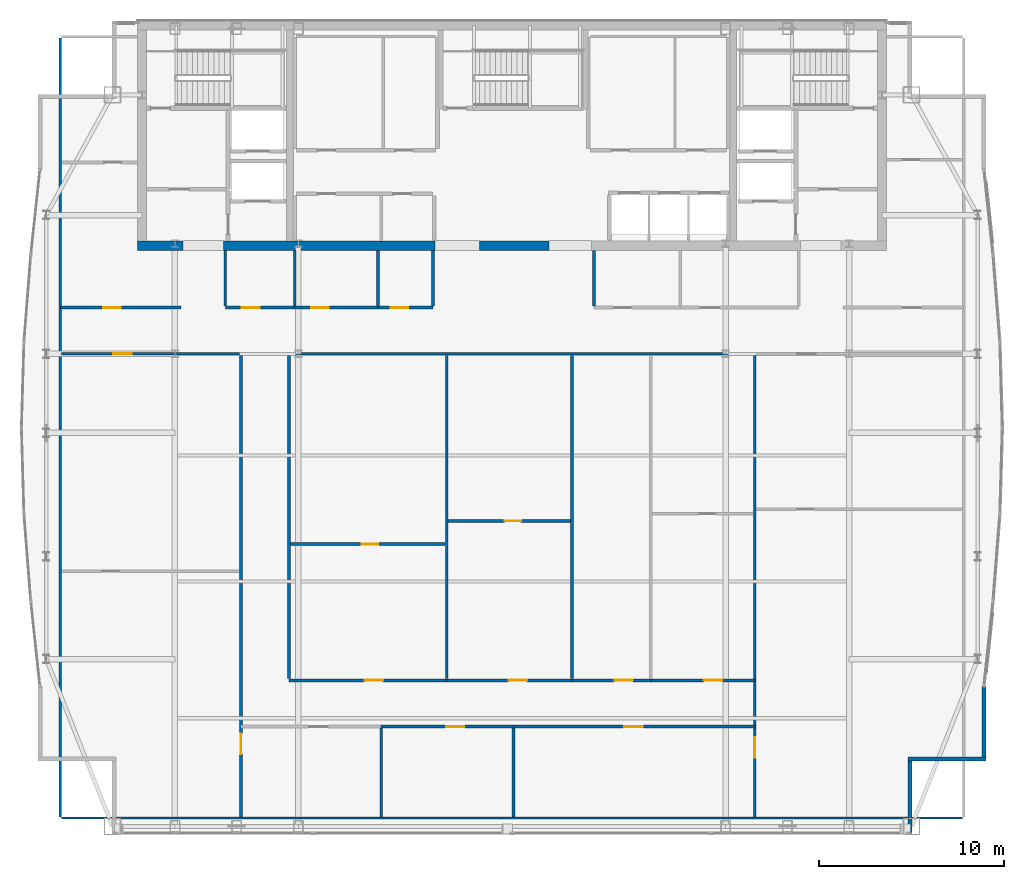
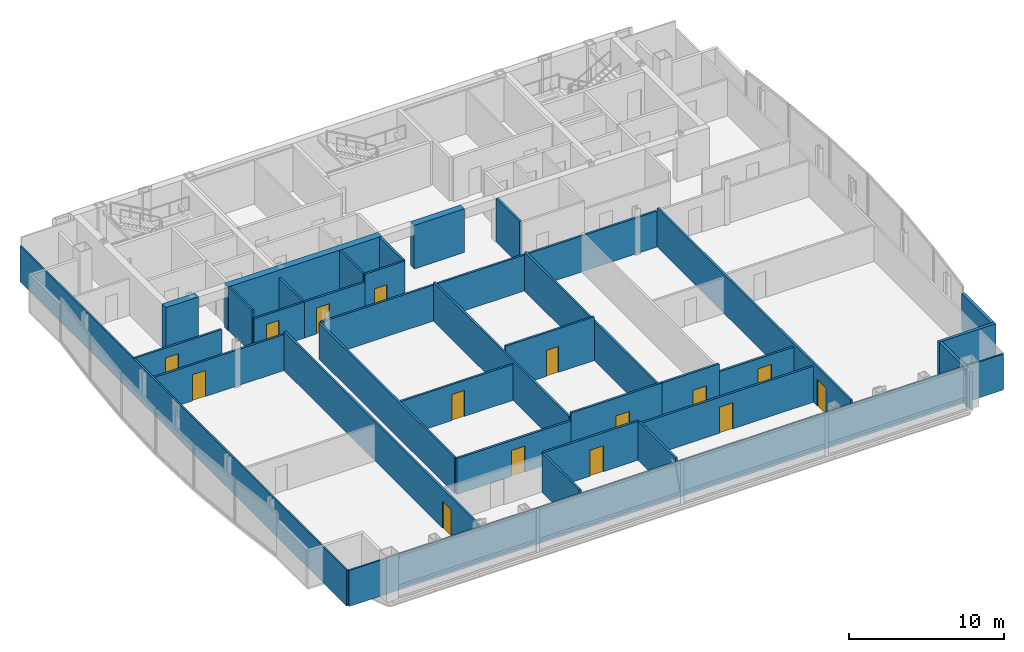
# One storey, part 22 of 27: 34 walls, 15 doors, 15 openings.
"""IFC4 building model written with IfcOpenShell, lengths in metres."""

import ifcopenshell
import ifcopenshell.guid

model = None  # the IFC model being written
_history = None  # IfcOwnerHistory: only IFC2X3 demands one
_inside = {}  # id of a spatial element -> (the spatial element, [elements in it])
_under = {}  # id of a project, library or spatial element -> (it, [spatial elements below it])
_declared = {}  # id of a project -> (the project, [libraries it declares])
_typed = {}  # id of a type object -> (the type object, [elements of that type])
_made_of = {}  # id of a material, layer set ... -> (it, [elements and type objects made of it])


def new_model(schema):
    """Start an empty IFC model of exactly this schema.

    Asked for "IFC4X3", IfcOpenShell would pick the latest addendum, in which some entities
    have other attributes; the version numbers below select the first issue.
    IFC2X3 requires an IfcOwnerHistory on every rooted entity: one is made here for all.
    """
    global model, _history
    if schema == "IFC4X3":
        model = ifcopenshell.file(schema_version=(4, 3, 0, 0))
    else:
        model = ifcopenshell.file(schema=schema)
    _inside.clear()
    _under.clear()
    _declared.clear()
    _typed.clear()
    _made_of.clear()
    _history = None
    if model.schema == "IFC2X3":
        org = make("IfcOrganization", Name="unknown")
        user = make(
            "IfcPersonAndOrganization",
            ThePerson=make("IfcPerson", FamilyName="unknown"),
            TheOrganization=org,
        )
        app = make(
            "IfcApplication",
            ApplicationDeveloper=org,
            Version="unknown",
            ApplicationFullName="unknown",
            ApplicationIdentifier="unknown",
        )
        _history = make(
            "IfcOwnerHistory",
            OwningUser=user,
            OwningApplication=app,
            ChangeAction="ADDED",
            CreationDate=0,
        )
    return model


def make(cls, **values):
    """One entity of the class cls with the attributes given. An attribute that is None is left unset."""
    return model.create_entity(
        cls, **{name: value for name, value in values.items() if value is not None}
    )


def rooted(cls, **values):
    """An entity with a GlobalId (a new one), such as an element, a storey or a relation."""
    return make(cls, GlobalId=ifcopenshell.guid.new(), OwnerHistory=_history, **values)


def si_unit(unit_type, name, prefix=None):
    """IfcSIUnit, for example si_unit("LENGTHUNIT", "METRE", prefix="MILLI")."""
    return make("IfcSIUnit", UnitType=unit_type, Prefix=prefix, Name=name)


def assignment(units):
    """IfcUnitAssignment: the units of a project."""
    return None if units is None else make("IfcUnitAssignment", Units=units)


def point(xyz):
    """IfcCartesianPoint."""
    return None if xyz is None else make("IfcCartesianPoint", Coordinates=xyz)


def direction(xyz):
    """IfcDirection."""
    return None if xyz is None else make("IfcDirection", DirectionRatios=xyz)


def frame(location, z_axis=None, x_axis=None):
    """IfcAxis2Placement3D, a coordinate frame: its origin and axes. An axis left out is left unset."""
    return make(
        "IfcAxis2Placement3D",
        Location=point(location),
        Axis=direction(z_axis),
        RefDirection=direction(x_axis),
    )


def frame_2d(location, x_axis=None):
    """IfcAxis2Placement2D, a coordinate frame in the plane: its origin and x axis."""
    return make(
        "IfcAxis2Placement2D", Location=point(location), RefDirection=direction(x_axis)
    )


def origin():
    """The frame at (0, 0, 0) with its axes left unset."""
    return frame((0.0, 0.0, 0.0))


def place(relative_to, where):
    """IfcLocalPlacement: puts the frame where relative to a parent placement (None: the world)."""
    return make(
        "IfcLocalPlacement", PlacementRelTo=relative_to, RelativePlacement=where
    )


def context(
    kind, dimensions, precision=None, world=None, true_north=None, identifier=None
):
    """IfcGeometricRepresentationContext, for example the 3D "Model" context."""
    return make(
        "IfcGeometricRepresentationContext",
        ContextIdentifier=identifier,
        ContextType=kind,
        CoordinateSpaceDimension=dimensions,
        Precision=precision,
        WorldCoordinateSystem=world,
        TrueNorth=true_north,
    )


def subcontext(parent, identifier, kind, view, scale=None):
    """IfcGeometricRepresentationSubContext, for example "Body" below "Model"."""
    return make(
        "IfcGeometricRepresentationSubContext",
        ContextIdentifier=identifier,
        ContextType=kind,
        ParentContext=parent,
        TargetScale=scale,
        TargetView=view,
    )


def project(units=None, contexts=None):
    """IfcProject with its units and contexts."""
    return rooted(
        "IfcProject",
        Name="project",
        RepresentationContexts=contexts,
        UnitsInContext=assignment(units),
    )


def spatial(cls, under=None, at=None, **own):
    """A site, building, storey or space (cls), placed at a placement, below another one or the project."""
    s = rooted(cls, ObjectPlacement=at, **own)
    if under is not None:
        _under.setdefault(under.id(), (under, []))[1].append(s)
    return s


def profile(cls, at=None, kind="AREA", **sizes):
    """A parametric profile (cls). Its sizes go by their IFC names, for example OverallWidth=200.0."""
    return make(cls, ProfileType=kind, Position=at, **sizes)


def rectangle(**sizes):
    """IfcRectangleProfileDef."""
    return profile("IfcRectangleProfileDef", **sizes)


def extrude(swept, where, along, depth):
    """IfcExtrudedAreaSolid: the profile swept, set in the frame where, extruded along a direction by depth."""
    return make(
        "IfcExtrudedAreaSolid",
        SweptArea=swept,
        Position=where,
        ExtrudedDirection=direction(along),
        Depth=depth,
    )


def shape(context_of_items, identifier, shape_type, items):
    """IfcShapeRepresentation: the items that make up one representation, for example the "Body"."""
    return make(
        "IfcShapeRepresentation",
        ContextOfItems=context_of_items,
        RepresentationIdentifier=identifier,
        RepresentationType=shape_type,
        Items=items,
    )


def material(Name=None, Category=None):
    """IfcMaterial."""
    return make("IfcMaterial", Name=Name, Category=Category)


def layer(
    of_material, thickness, ventilated=None, Name=None, Category=None, Priority=None
):
    """IfcMaterialLayer: one layer of a wall or slab, of a material (None: an air gap)."""
    return make(
        "IfcMaterialLayer",
        Material=of_material,
        LayerThickness=thickness,
        IsVentilated=ventilated,
        Name=Name,
        Category=Category,
        Priority=Priority,
    )


def layer_set(layers, Name=None):
    """IfcMaterialLayerSet."""
    return make("IfcMaterialLayerSet", MaterialLayers=layers, LayerSetName=Name)


def made_of(thing, what):
    """Note that an element or type object is made of a material, layer set ...; save() writes the relation."""
    if what is not None:
        _made_of.setdefault(what.id(), (what, []))[1].append(thing)
    return thing


def type_object(cls, material=None, **own):
    """A type object (cls), such as IfcWallType, which elements share."""
    return made_of(rooted(cls, **own), material)


def element(
    cls,
    number,
    at=None,
    inside=None,
    cuts=None,
    type_object=None,
    material=None,
    context=None,
    identifier="Body",
    shape_type=None,
    held_by="IfcProductDefinitionShape",
    body=None,
    shapes=None,
    **own,
):
    """One element of the class cls, such as IfcWall. Its Tag is "e" and its number.

    at: its placement. inside: the storey or other place that contains it. cuts: it is an
    opening in that element (IfcRelVoidsElement). A single representation is given by context,
    identifier, shape_type and body (its items); several are given by shapes. held_by: the class
    of the entity that holds the representations. save() writes the other relations.
    """
    e = rooted(cls, Tag="e%d" % number, ObjectPlacement=at, **own)
    if body is not None:
        shapes = [shape(context, identifier, shape_type, body)]
    if shapes is not None:
        e.Representation = make(held_by, Representations=shapes)
    if inside is not None:
        _inside.setdefault(inside.id(), (inside, []))[1].append(e)
    if cuts is not None:
        rooted(
            "IfcRelVoidsElement", RelatingBuildingElement=cuts, RelatedOpeningElement=e
        )
    if type_object is not None:
        _typed.setdefault(type_object.id(), (type_object, []))[1].append(e)
    return made_of(e, material)


def fill(opening, filler):
    """IfcRelFillsElement: the door or window that sits in an opening."""
    return rooted(
        "IfcRelFillsElement",
        RelatingOpeningElement=opening,
        RelatedBuildingElement=filler,
    )


def aggregate(whole, parts):
    """IfcRelAggregates: a whole, such as a stair, and the parts it consists of."""
    return rooted("IfcRelAggregates", RelatingObject=whole, RelatedObjects=parts)


def save(model, path):
    """Write the relations noted so far, then the file.

    IfcRelAggregates (storeys below a building ...), IfcRelContainedInSpatialStructure (elements
    in a storey), IfcRelDefinesByType, IfcRelAssociatesMaterial and IfcRelDeclares: one each for
    every whole, place, type object, material and project.
    """
    for whole, parts in _under.values():
        aggregate(whole, parts)
    for where, things in _inside.values():
        rooted(
            "IfcRelContainedInSpatialStructure",
            RelatedElements=things,
            RelatingStructure=where,
        )
    for kind, things in _typed.values():
        rooted("IfcRelDefinesByType", RelatedObjects=things, RelatingType=kind)
    for what, things in _made_of.values():
        rooted("IfcRelAssociatesMaterial", RelatedObjects=things, RelatingMaterial=what)
    for by, libraries in _declared.values():
        rooted("IfcRelDeclares", RelatingContext=by, RelatedDefinitions=libraries)
    model.write(path)


model = new_model("IFC4")

# Units and contexts
model_context = context("Model", 3, precision=1e-05, world=origin(), true_north=direction((0.0, 1.0)))
body_context = subcontext(model_context, "Body", "Model", "MODEL_VIEW")
ifc_project = project(units=[si_unit("LENGTHUNIT", "METRE"), si_unit("AREAUNIT", "SQUARE_METRE"), si_unit("VOLUMEUNIT", "CUBIC_METRE"), si_unit("PLANEANGLEUNIT", "RADIAN"), si_unit("MASSUNIT", "GRAM", prefix="KILO")], contexts=[model_context])

# Site, building, storey
site_placement = place(None, origin())
site = spatial("IfcSite", under=ifc_project, at=site_placement, CompositionType="ELEMENT")
building_placement = place(site_placement, origin())
building = spatial("IfcBuilding", under=site, at=building_placement, Name="Khoronbel Lancet Exchange", CompositionType="ELEMENT")
storey_placement = place(building_placement, frame((0.0, 0.0, 343.39990234375)))
storey = spatial("IfcBuildingStorey", under=building, at=storey_placement, Name="L89", CompositionType="ELEMENT", Elevation=343.39990234375)

# Walls
ifc_material_1 = material(Name="Concrete C60/75", Category="concrete")
ifc_layer_1 = layer(ifc_material_1, 0.5, Name="Concrete C60/75")
ifc_layer_set_1 = layer_set([ifc_layer_1], Name="Concrete C60/75")
wall_type_1 = type_object("IfcWallType", Name="WL-CW4", PredefinedType="SHEAR", material=ifc_layer_set_1)
wall_1_placement = place(storey_placement, frame((18.64990234375, 41.550048828125, 0.0), z_axis=(0.0, 0.0, 1.0), x_axis=(-1.0, 0.0, 0.0)))
element("IfcWall", 1, at=wall_1_placement, inside=storey, type_object=wall_type_1, Name="Level L89 rear core south shear wall pier P1", PredefinedType="SHEAR", context=body_context, shape_type="SweptSolid", body=[
    extrude(rectangle(XDim=2.449951171875, YDim=0.5, at=frame_2d((1.22509765625, 0.0))), origin(), (0.0, 0.0, 1.0), 3.440185546875),
])
wall_2_placement = place(storey_placement, frame((32.300048828125, 41.550048828125, 0.0), z_axis=(0.0, 0.0, 1.0), x_axis=(-1.0, 0.0, 0.0)))
element("IfcWall", 2, at=wall_2_placement, inside=storey, type_object=wall_type_1, Name="Level L89 rear core south shear wall pier P2", PredefinedType="SHEAR", context=body_context, shape_type="SweptSolid", body=[
    extrude(rectangle(XDim=11.449951171875, YDim=0.5, at=frame_2d((5.72509765625, 0.0))), origin(), (0.0, 0.0, 1.0), 3.440185546875),
])
wall_3_placement = place(storey_placement, frame((38.449951171875, 41.550048828125, 0.0), z_axis=(0.0, 0.0, 1.0), x_axis=(-1.0, 0.0, 0.0)))
element("IfcWall", 3, at=wall_3_placement, inside=storey, type_object=wall_type_1, Name="Level L89 rear core south shear wall pier P3", PredefinedType="SHEAR", context=body_context, shape_type="SweptSolid", body=[
    extrude(rectangle(XDim=3.75, YDim=0.5, at=frame_2d((1.875, 0.0))), origin(), (0.0, 0.0, 1.0), 3.440185546875),
])
ifc_material_2 = material(Name="Precast concrete C40/50", Category="concrete")
ifc_layer_2 = layer(ifc_material_2, 0.25, Name="Precast concrete C40/50")
ifc_layer_set_2 = layer_set([ifc_layer_2], Name="Precast concrete C40/50")
wall_type_2 = type_object("IfcWallType", Name="WL-EXT250", PredefinedType="SOLIDWALL", material=ifc_layer_set_2)
wall_4_placement = place(storey_placement, frame((61.9599609375, 17.724853515625, 0.0), z_axis=(0.0, 0.0, 1.0), x_axis=(0.0, -1.0, 0.0)))
element("IfcWall", 4, at=wall_4_placement, inside=storey, type_object=wall_type_2, Name="Level L89 notched-corner limestone pier 23", PredefinedType="SOLIDWALL", context=body_context, shape_type="SweptSolid", body=[
    extrude(rectangle(XDim=3.824951171875, YDim=0.219970703125, at=frame_2d((1.91259765625, 0.0))), origin(), (0.0, 0.0, 1.0), 2.880126953125),
])
wall_5_placement = place(storey_placement, frame((62.070068359375, 13.7900390625, 0.0), z_axis=(0.0, 0.0, 1.0), x_axis=(-1.0, 0.0, 0.0)))
element("IfcWall", 5, at=wall_5_placement, inside=storey, type_object=wall_type_2, Name="Level L89 notched-corner limestone pier 24", PredefinedType="SOLIDWALL", context=body_context, shape_type="SweptSolid", body=[
    extrude(rectangle(XDim=4.219970703125, YDim=0.219970703125, at=frame_2d((2.10986328125, 0.0))), origin(), (0.0, 0.0, 1.0), 2.880126953125),
])
wall_6_placement = place(storey_placement, frame((57.9599609375, 13.679931640625, 0.0), z_axis=(0.0, 0.0, 1.0), x_axis=(0.0, -1.0, 0.0)))
element("IfcWall", 6, at=wall_6_placement, inside=storey, type_object=wall_type_2, Name="Level L89 notched-corner limestone pier 25", PredefinedType="SOLIDWALL", context=body_context, shape_type="SweptSolid", body=[
    extrude(rectangle(XDim=3.909912109375, YDim=0.219970703125, at=frame_2d((1.955078125, 0.0))), origin(), (0.0, 0.0, 1.0), 2.880126953125),
])
ifc_material_3 = material(Name="Acoustic Metal-Stud & Mineral-Wool Gypsum Partition 120 mm", Category="gypsum")
ifc_layer_3 = layer(ifc_material_3, 0.1201171875, Name="Acoustic Metal-Stud & Mineral-Wool Gypsum Partition 120 mm")
ifc_layer_set_3 = layer_set([ifc_layer_3], Name="Acoustic Metal-Stud & Mineral-Wool Gypsum Partition 120 mm")
wall_type_3 = type_object("IfcWallType", Name="WL-PRT120", PredefinedType="PARTITIONING", material=ifc_layer_set_3)
wall_7_placement = place(storey_placement, frame((20.949951171875, 38.280029296875, 0.0), z_axis=(0.0, 0.0, 1.0), x_axis=(0.0, 1.0, 0.0)))
element("IfcWall", 7, at=wall_7_placement, inside=storey, type_object=wall_type_3, Name="Level L89 interior partition PW-WC-0", PredefinedType="PARTITIONING", context=body_context, shape_type="SweptSolid", body=[
    extrude(rectangle(XDim=3.02001953125, YDim=0.14990234375, at=frame_2d((1.510009765625, 0.0))), origin(), (0.0, 0.0, 1.0), 3.440185546875),
])
wall_8_placement = place(storey_placement, frame((24.699951171875, 38.280029296875, 0.0), z_axis=(0.0, 0.0, 1.0), x_axis=(0.0, 1.0, 0.0)))
element("IfcWall", 8, at=wall_8_placement, inside=storey, type_object=wall_type_3, Name="Level L89 interior partition PW-WC-1", PredefinedType="PARTITIONING", context=body_context, shape_type="SweptSolid", body=[
    extrude(rectangle(XDim=3.02001953125, YDim=0.14990234375, at=frame_2d((1.510009765625, 0.0))), origin(), (0.0, 0.0, 1.0), 2.830078125),
])
for number, where, z_axis, x_axis, name in (
    (9, (29.199951171875, 38.280029296875, 0.0), (0.0, 0.0, 1.0), (0.0, 1.0, 0.0), "Level L89 interior partition PW-WC-2"),
    (10, (32.179931640625, 38.280029296875, 0.0), (0.0, 0.0, 1.0), (0.0, 1.0, 0.0), "Level L89 interior partition PW-WC-3"),
    (11, (40.8798828125, 38.280029296875, 0.0), (0.0, 0.0, 1.0), (0.0, 1.0, 0.0), "Level L89 interior partition PW-NP-0"),
):
    element("IfcWall", number, at=place(storey_placement, frame(where, z_axis=z_axis, x_axis=x_axis)), inside=storey, type_object=wall_type_3, Name=name, PredefinedType="PARTITIONING", context=body_context, shape_type="SweptSolid", body=[
        extrude(rectangle(XDim=3.02001953125, YDim=0.14990234375, at=frame_2d((1.510009765625, 0.0))), origin(), (0.0, 0.0, 1.0), 3.440185546875),
    ])

# Wall, opening, door
wall_9_placement = place(storey_placement, frame((24.47998046875, 25.413818359375, 0.0), z_axis=(0.0, 0.0, 1.0), x_axis=(1.0, 0.0, 0.0)))
wall_9 = element("IfcWall", 12, at=wall_9_placement, inside=storey, type_object=wall_type_3, Name="Level L89 interior partition PW-Z4C-H1", PredefinedType="PARTITIONING", context=body_context, shape_type="SweptSolid", body=[
    extrude(rectangle(XDim=8.360107421875, YDim=0.14990234375, at=frame_2d((4.18017578125, 0.0))), origin(), (0.0, 0.0, 1.0), 2.830078125),
])
opening_1_placement = place(wall_9_placement, frame((3.833984375, 0.0, 0.0)))
opening_1 = element("IfcOpeningElement", 13, at=opening_1_placement, cuts=wall_9, Name="Opening D5", PredefinedType="OPENING", context=body_context, shape_type="SweptSolid", body=[
    extrude(rectangle(XDim=0.89990234375, YDim=2.050048828125, at=frame_2d((0.449951171875, 1.02490234375))), frame((0.0, 0.0849609375, 0.0), z_axis=(0.0, -1.0, 0.0), x_axis=(1.0, 0.0, 0.0)), (0.0, 0.0, 1.0), 0.169921875),
])
ifc_material_4 = material(Name="Acoustic Timber Pantry & Support Door", Category="wood")
door_type_1 = type_object("IfcDoorType", Name="DR-D5", OperationType="NOTDEFINED", PredefinedType="DOOR", material=ifc_material_4)
door_1_placement = place(opening_1_placement, origin())
door_1 = element("IfcDoor", 14, at=door_1_placement, inside=storey, type_object=door_type_1, Name="Z4C inner door 1 L89-1", OperationType="SINGLE_SWING_LEFT", OverallHeight=2.050048828125, OverallWidth=0.89990234375, PredefinedType="DOOR", context=body_context, shape_type="SweptSolid", body=[
    extrude(rectangle(XDim=0.89990234375, YDim=2.050048828125, at=frame_2d((0.449951171875, 1.02490234375))), frame((0.0, 0.02490234375, 0.0), z_axis=(0.0, -1.0, 0.0), x_axis=(1.0, 0.0, 0.0)), (0.0, 0.0, 1.0), 0.050048828125),
])
fill(opening_1, door_1)

wall_10_placement = place(storey_placement, frame((33.0, 26.664306640625, 0.0), z_axis=(0.0, 0.0, 1.0), x_axis=(1.0, 0.0, 0.0)))
wall_10 = element("IfcWall", 15, at=wall_10_placement, inside=storey, type_object=wall_type_3, Name="Level L89 interior partition PW-Z4C-H2", PredefinedType="PARTITIONING", context=body_context, shape_type="SweptSolid", body=[
    extrude(rectangle(XDim=6.6162109375, YDim=0.14990234375, at=frame_2d((3.30810546875, 0.0))), origin(), (0.0, 0.0, 1.0), 3.440185546875),
])
opening_2_placement = place(wall_10_placement, frame((3.04931640625, 0.0, 0.0)))
opening_2 = element("IfcOpeningElement", 16, at=opening_2_placement, cuts=wall_10, Name="Opening D5", PredefinedType="OPENING", context=body_context, shape_type="SweptSolid", body=[
    extrude(rectangle(XDim=0.89990234375, YDim=2.050048828125, at=frame_2d((0.449951171875, 1.02490234375))), frame((0.0, 0.0849609375, 0.0), z_axis=(0.0, -1.0, 0.0), x_axis=(1.0, 0.0, 0.0)), (0.0, 0.0, 1.0), 0.169921875),
])
door_2_placement = place(opening_2_placement, origin())
door_2 = element("IfcDoor", 17, at=door_2_placement, inside=storey, type_object=door_type_1, Name="Z4C inner door 2 L89-1", OperationType="SINGLE_SWING_LEFT", OverallHeight=2.050048828125, OverallWidth=0.89990234375, PredefinedType="DOOR", context=body_context, shape_type="SweptSolid", body=[
    extrude(rectangle(XDim=0.89990234375, YDim=2.050048828125, at=frame_2d((0.449951171875, 1.02490234375))), frame((0.0, 0.02490234375, 0.0), z_axis=(0.0, -1.0, 0.0), x_axis=(1.0, 0.0, 0.0)), (0.0, 0.0, 1.0), 0.050048828125),
])
fill(opening_2, door_2)

# Walls
wall_11_placement = place(storey_placement, frame((12.030029296875, 10.6650390625, 0.0), z_axis=(0.0, 0.0, 1.0), x_axis=(0.0, 1.0, 0.0)))
element("IfcWall", 18, at=wall_11_placement, inside=storey, type_object=wall_type_3, Name="Level L89 interior partition PW-LIN-W", PredefinedType="PARTITIONING", context=body_context, shape_type="SweptSolid", body=[
    extrude(rectangle(XDim=42.10986328125, YDim=0.1201171875, at=frame_2d((21.054931640625, 0.0))), origin(), (0.0, 0.0, 1.0), 2.830078125),
])
wall_12_placement = place(storey_placement, frame((12.094970703125, 10.60009765625, 0.0), z_axis=(0.0, 0.0, 1.0), x_axis=(1.0, 0.0, 0.0)))
element("IfcWall", 19, at=wall_12_placement, inside=storey, type_object=wall_type_3, Name="Level L89 interior partition PW-LIN-S", PredefinedType="PARTITIONING", context=body_context, shape_type="SweptSolid", body=[
    extrude(rectangle(XDim=48.7099609375, YDim=0.1201171875, at=frame_2d((24.35498046875, 0.0))), origin(), (0.0, 0.0, 1.0), 2.830078125),
])

# Wall, opening, door
ifc_material_5 = material(Name="Fire-Rated Twin-Stud Acoustic Gypsum Partition 150 mm", Category="gypsum")
ifc_layer_4 = layer(ifc_material_5, 0.14990234375, Name="Fire-Rated Twin-Stud Acoustic Gypsum Partition 150 mm")
ifc_layer_set_4 = layer_set([ifc_layer_4], Name="Fire-Rated Twin-Stud Acoustic Gypsum Partition 150 mm")
wall_type_4 = type_object("IfcWallType", Name="WL-PRT150C", PredefinedType="PARTITIONING", material=ifc_layer_set_4)
wall_13_placement = place(storey_placement, frame((20.949951171875, 38.199951171875, 0.0), z_axis=(0.0, 0.0, 1.0), x_axis=(1.0, 0.0, 0.0)))
wall_13 = element("IfcWall", 20, at=wall_13_placement, inside=storey, type_object=wall_type_4, Name="Level L89 interior partition PW-WC-S1", PredefinedType="PARTITIONING", context=body_context, shape_type="SweptSolid", body=[
    extrude(rectangle(XDim=3.75, YDim=0.14990234375, at=frame_2d((1.875, 0.0))), origin(), (0.0, 0.0, 1.0), 2.830078125),
])
opening_3_placement = place(wall_13_placement, frame((0.89990234375, 0.0, 0.0)))
opening_3 = element("IfcOpeningElement", 21, at=opening_3_placement, cuts=wall_13, Name="Opening D4", PredefinedType="OPENING", context=body_context, shape_type="SweptSolid", body=[
    extrude(rectangle(XDim=0.949951171875, YDim=2.050048828125, at=frame_2d((0.47509765625, 1.02490234375))), frame((0.0, 0.0849609375, 0.0), z_axis=(0.0, -1.0, 0.0), x_axis=(1.0, 0.0, 0.0)), (0.0, 0.0, 1.0), 0.169921875),
])
ifc_material_6 = material(Name="Moisture-Resistant HPL Washroom Door", Category="wood")
door_type_2 = type_object("IfcDoorType", Name="DR-D4", OperationType="NOTDEFINED", PredefinedType="DOOR", material=ifc_material_6)
door_3_placement = place(opening_3_placement, origin())
door_3 = element("IfcDoor", 22, at=door_3_placement, inside=storey, type_object=door_type_2, Name="Male washroom door L89-1", OperationType="SINGLE_SWING_LEFT", OverallHeight=2.050048828125, OverallWidth=0.949951171875, PredefinedType="DOOR", context=body_context, shape_type="SweptSolid", body=[
    extrude(rectangle(XDim=0.949951171875, YDim=2.050048828125, at=frame_2d((0.47509765625, 1.02490234375))), frame((0.0, 0.02490234375, 0.0), z_axis=(0.0, -1.0, 0.0), x_axis=(1.0, 0.0, 0.0)), (0.0, 0.0, 1.0), 0.050048828125),
])
fill(opening_3, door_3)

wall_14_placement = place(storey_placement, frame((24.699951171875, 38.199951171875, 0.0), z_axis=(0.0, 0.0, 1.0), x_axis=(1.0, 0.0, 0.0)))
wall_14 = element("IfcWall", 23, at=wall_14_placement, inside=storey, type_object=wall_type_4, Name="Level L89 interior partition PW-WC-S2", PredefinedType="PARTITIONING", context=body_context, shape_type="SweptSolid", body=[
    extrude(rectangle(XDim=4.5, YDim=0.14990234375, at=frame_2d((2.25, 0.0))), origin(), (0.0, 0.0, 1.0), 2.830078125),
])
opening_4_placement = place(wall_14_placement, frame((0.89990234375, 0.0, 0.0)))
opening_4 = element("IfcOpeningElement", 24, at=opening_4_placement, cuts=wall_14, Name="Opening D4", PredefinedType="OPENING", context=body_context, shape_type="SweptSolid", body=[
    extrude(rectangle(XDim=0.949951171875, YDim=2.050048828125, at=frame_2d((0.47509765625, 1.02490234375))), frame((0.0, 0.0849609375, 0.0), z_axis=(0.0, -1.0, 0.0), x_axis=(1.0, 0.0, 0.0)), (0.0, 0.0, 1.0), 0.169921875),
])
door_4_placement = place(opening_4_placement, origin())
door_4 = element("IfcDoor", 25, at=door_4_placement, inside=storey, type_object=door_type_2, Name="Female washroom door L89-1", OperationType="SINGLE_SWING_RIGHT", OverallHeight=2.050048828125, OverallWidth=0.949951171875, PredefinedType="DOOR", context=body_context, shape_type="SweptSolid", body=[
    extrude(rectangle(XDim=0.949951171875, YDim=2.050048828125, at=frame_2d((0.47509765625, 1.02490234375))), frame((0.0, 0.02490234375, 0.0), z_axis=(0.0, -1.0, 0.0), x_axis=(1.0, 0.0, 0.0)), (0.0, 0.0, 1.0), 0.050048828125),
])
fill(opening_4, door_4)

wall_15_placement = place(storey_placement, frame((29.199951171875, 38.199951171875, 0.0), z_axis=(0.0, 0.0, 1.0), x_axis=(1.0, 0.0, 0.0)))
wall_15 = element("IfcWall", 26, at=wall_15_placement, inside=storey, type_object=wall_type_4, Name="Level L89 interior partition PW-WC-S3", PredefinedType="PARTITIONING", context=body_context, shape_type="SweptSolid", body=[
    extrude(rectangle(XDim=2.97998046875, YDim=0.14990234375, at=frame_2d((1.489990234375, 0.0))), origin(), (0.0, 0.0, 1.0), 3.440185546875),
])
opening_5_placement = place(wall_15_placement, frame((0.699951171875, 0.0, 0.0)))
opening_5 = element("IfcOpeningElement", 27, at=opening_5_placement, cuts=wall_15, Name="Opening D4", PredefinedType="OPENING", context=body_context, shape_type="SweptSolid", body=[
    extrude(rectangle(XDim=0.949951171875, YDim=2.050048828125, at=frame_2d((0.47509765625, 1.02490234375))), frame((0.0, 0.0849609375, 0.0), z_axis=(0.0, -1.0, 0.0), x_axis=(1.0, 0.0, 0.0)), (0.0, 0.0, 1.0), 0.169921875),
])
door_5_placement = place(opening_5_placement, origin())
door_5 = element("IfcDoor", 28, at=door_5_placement, inside=storey, type_object=door_type_2, Name="Accessible WC door L89-1", OperationType="SINGLE_SWING_LEFT", OverallHeight=2.050048828125, OverallWidth=0.949951171875, PredefinedType="DOOR", context=body_context, shape_type="SweptSolid", body=[
    extrude(rectangle(XDim=0.949951171875, YDim=2.050048828125, at=frame_2d((0.47509765625, 1.02490234375))), frame((0.0, 0.02490234375, 0.0), z_axis=(0.0, -1.0, 0.0), x_axis=(1.0, 0.0, 0.0)), (0.0, 0.0, 1.0), 0.050048828125),
])
fill(opening_5, door_5)

wall_16_placement = place(storey_placement, frame((12.030029296875, 38.199951171875, 0.0), z_axis=(0.0, 0.0, 1.0), x_axis=(1.0, 0.0, 0.0)))
wall_16 = element("IfcWall", 29, at=wall_16_placement, inside=storey, type_object=wall_type_4, Name="Level L89 interior partition PW-NW-S", PredefinedType="PARTITIONING", context=body_context, shape_type="SweptSolid", body=[
    extrude(rectangle(XDim=6.52001953125, YDim=0.14990234375, at=frame_2d((3.260009765625, 0.0))), origin(), (0.0, 0.0, 1.0), 2.830078125),
])
opening_6_placement = place(wall_16_placement, frame((2.320068359375, 0.0, 0.0)))
opening_6 = element("IfcOpeningElement", 30, at=opening_6_placement, cuts=wall_16, Name="Opening D1", PredefinedType="OPENING", context=body_context, shape_type="SweptSolid", body=[
    extrude(rectangle(XDim=0.949951171875, YDim=2.050048828125, at=frame_2d((0.47509765625, 1.02490234375))), frame((0.0, 0.0849609375, 0.0), z_axis=(0.0, -1.0, 0.0), x_axis=(1.0, 0.0, 0.0)), (0.0, 0.0, 1.0), 0.169921875),
])
ifc_material_7 = material(Name="Acoustic Veneered Timber & Bronze Frame Door", Category="wood")
door_type_3 = type_object("IfcDoorType", Name="DR-D1", OperationType="NOTDEFINED", PredefinedType="DOOR", material=ifc_material_7)
door_6_placement = place(opening_6_placement, origin())
door_6 = element("IfcDoor", 31, at=door_6_placement, inside=storey, type_object=door_type_3, Name="NW corner room door L89-1", OperationType="SINGLE_SWING_RIGHT", OverallHeight=2.050048828125, OverallWidth=0.949951171875, PredefinedType="DOOR", context=body_context, shape_type="SweptSolid", body=[
    extrude(rectangle(XDim=0.949951171875, YDim=2.050048828125, at=frame_2d((0.47509765625, 1.02490234375))), frame((0.0, 0.02490234375, 0.0), z_axis=(0.0, -1.0, 0.0), x_axis=(1.0, 0.0, 0.0)), (0.0, 0.0, 1.0), 0.050048828125),
])
fill(opening_6, door_6)

wall_17_placement = place(storey_placement, frame((21.800048828125, 10.6650390625, 0.0), z_axis=(0.0, 0.0, 1.0), x_axis=(0.0, 1.0, 0.0)))
wall_17 = element("IfcWall", 32, at=wall_17_placement, inside=storey, type_object=wall_type_4, Name="Level L89 interior partition PW-Z4-WW", PredefinedType="PARTITIONING", context=body_context, shape_type="SweptSolid", body=[
    extrude(rectangle(XDim=24.955078125, YDim=0.14990234375, at=frame_2d((12.4775390625, 0.0))), origin(), (0.0, 0.0, 1.0), 3.070068359375),
])
opening_7_placement = place(wall_17_placement, frame((3.39990234375, 0.0, 0.0)))
opening_7 = element("IfcOpeningElement", 33, at=opening_7_placement, cuts=wall_17, Name="Opening D6", PredefinedType="OPENING", context=body_context, shape_type="SweptSolid", body=[
    extrude(rectangle(XDim=1.10009765625, YDim=2.10009765625, at=frame_2d((0.550048828125, 1.050048828125))), frame((0.0, 0.0849609375, 0.0), z_axis=(0.0, -1.0, 0.0), x_axis=(1.0, 0.0, 0.0)), (0.0, 0.0, 1.0), 0.169921875),
])
ifc_material_8 = material(Name="Acoustic Bronze-Veneer Executive Suite Door", Category="wood")
door_type_4 = type_object("IfcDoorType", Name="DR-D6", OperationType="NOTDEFINED", PredefinedType="DOOR", material=ifc_material_8)
door_7_placement = place(opening_7_placement, origin())
door_7 = element("IfcDoor", 34, at=door_7_placement, inside=storey, type_object=door_type_4, Name="West lens presidential door L89-1", OperationType="SINGLE_SWING_RIGHT", OverallHeight=2.10009765625, OverallWidth=1.10009765625, PredefinedType="DOOR", context=body_context, shape_type="SweptSolid", body=[
    extrude(rectangle(XDim=1.10009765625, YDim=2.10009765625, at=frame_2d((0.550048828125, 1.050048828125))), frame((0.0, 0.02490234375, 0.0), z_axis=(0.0, -1.0, 0.0), x_axis=(1.0, 0.0, 0.0)), (0.0, 0.0, 1.0), 0.050048828125),
])
fill(opening_7, door_7)

wall_18_placement = place(storey_placement, frame((12.094970703125, 35.699951171875, 0.0), z_axis=(0.0, 0.0, 1.0), x_axis=(1.0, 0.0, 0.0)))
wall_18 = element("IfcWall", 35, at=wall_18_placement, inside=storey, type_object=wall_type_4, Name="Level L89 interior partition PW-Z4-WN", PredefinedType="PARTITIONING", context=body_context, shape_type="SweptSolid", body=[
    extrude(rectangle(XDim=9.625, YDim=0.14990234375, at=frame_2d((4.8125, 0.0))), origin(), (0.0, 0.0, 1.0), 2.830078125),
])
opening_8_placement = place(wall_18_placement, frame((2.800048828125, 0.0, 0.0)))
opening_8 = element("IfcOpeningElement", 36, at=opening_8_placement, cuts=wall_18, Name="Opening D2", PredefinedType="OPENING", context=body_context, shape_type="SweptSolid", body=[
    extrude(rectangle(XDim=1.0, YDim=2.050048828125, at=frame_2d((0.5, 1.02490234375))), frame((0.0, 0.0849609375, 0.0), z_axis=(0.0, -1.0, 0.0), x_axis=(1.0, 0.0, 0.0)), (0.0, 0.0, 1.0), 0.169921875),
])
door_type_5 = type_object("IfcDoorType", Name="DR-D2", OperationType="NOTDEFINED", PredefinedType="DOOR", material=ifc_material_7)
door_8_placement = place(opening_8_placement, origin())
door_8 = element("IfcDoor", 37, at=door_8_placement, inside=storey, type_object=door_type_5, Name="West lens north door L89-1", OperationType="SINGLE_SWING_LEFT", OverallHeight=2.050048828125, OverallWidth=1.0, PredefinedType="DOOR", context=body_context, shape_type="SweptSolid", body=[
    extrude(rectangle(XDim=1.0, YDim=2.050048828125, at=frame_2d((0.5, 1.02490234375))), frame((0.0, 0.02490234375, 0.0), z_axis=(0.0, -1.0, 0.0), x_axis=(1.0, 0.0, 0.0)), (0.0, 0.0, 1.0), 0.050048828125),
])
fill(opening_8, door_8)

# Wall
wall_19_placement = place(storey_placement, frame((24.39990234375, 18.135009765625, 0.0), z_axis=(0.0, 0.0, 1.0), x_axis=(0.0, 1.0, 0.0)))
element("IfcWall", 38, at=wall_19_placement, inside=storey, type_object=wall_type_4, Name="Level L89 interior partition PW-Z4-WE", PredefinedType="PARTITIONING", context=body_context, shape_type="SweptSolid", body=[
    extrude(rectangle(XDim=17.485107421875, YDim=0.14990234375, at=frame_2d((8.74267578125, 0.0))), origin(), (0.0, 0.0, 1.0), 2.830078125),
])

# Wall, opening, door
wall_20_placement = place(storey_placement, frame((49.580078125, 10.6650390625, 0.0), z_axis=(0.0, 0.0, 1.0), x_axis=(0.0, 1.0, 0.0)))
wall_20 = element("IfcWall", 39, at=wall_20_placement, inside=storey, type_object=wall_type_4, Name="Level L89 interior partition PW-Z4-PE", PredefinedType="PARTITIONING", context=body_context, shape_type="SweptSolid", body=[
    extrude(rectangle(XDim=24.955078125, YDim=0.14990234375, at=frame_2d((12.4775390625, 0.0))), origin(), (0.0, 0.0, 1.0), 3.070068359375),
])
opening_9_placement = place(wall_20_placement, frame((3.199951171875, 0.0, 0.0)))
opening_9 = element("IfcOpeningElement", 40, at=opening_9_placement, cuts=wall_20, Name="Opening D6", PredefinedType="OPENING", context=body_context, shape_type="SweptSolid", body=[
    extrude(rectangle(XDim=1.10009765625, YDim=2.10009765625, at=frame_2d((0.550048828125, 1.050048828125))), frame((0.0, 0.0849609375, 0.0), z_axis=(0.0, -1.0, 0.0), x_axis=(1.0, 0.0, 0.0)), (0.0, 0.0, 1.0), 0.169921875),
])
door_9_placement = place(opening_9_placement, origin())
door_9 = element("IfcDoor", 41, at=door_9_placement, inside=storey, type_object=door_type_4, Name="East lens south door L89-1", OperationType="SINGLE_SWING_LEFT", OverallHeight=2.10009765625, OverallWidth=1.10009765625, PredefinedType="DOOR", context=body_context, shape_type="SweptSolid", body=[
    extrude(rectangle(XDim=1.10009765625, YDim=2.10009765625, at=frame_2d((0.550048828125, 1.050048828125))), frame((0.0, 0.02490234375, 0.0), z_axis=(0.0, -1.0, 0.0), x_axis=(1.0, 0.0, 0.0)), (0.0, 0.0, 1.0), 0.050048828125),
])
fill(opening_9, door_9)

# Walls
wall_21_placement = place(storey_placement, frame((24.47998046875, 35.699951171875, 0.0), z_axis=(0.0, 0.0, 1.0), x_axis=(1.0, 0.0, 0.0)))
element("IfcWall", 42, at=wall_21_placement, inside=storey, type_object=wall_type_4, Name="Level L89 interior partition PW-Z4-EN1", PredefinedType="PARTITIONING", context=body_context, shape_type="SweptSolid", body=[
    extrude(rectangle(XDim=25.02001953125, YDim=0.14990234375, at=frame_2d((12.510009765625, 0.0))), origin(), (0.0, 0.0, 1.0), 2.830078125),
])
for number, where, z_axis, x_axis, name in (
    (43, (32.919921875, 18.135009765625, 0.0), (0.0, 0.0, 1.0), (0.0, 1.0, 0.0), "Level L89 interior partition PW-Z4C-V1"),
    (44, (39.696044921875, 18.135009765625, 0.0), (0.0, 0.0, 1.0), (0.0, 1.0, 0.0), "Level L89 interior partition PW-Z4C-V2"),
):
    element("IfcWall", number, at=place(storey_placement, frame(where, z_axis=z_axis, x_axis=x_axis)), inside=storey, type_object=wall_type_4, Name=name, PredefinedType="PARTITIONING", context=body_context, shape_type="SweptSolid", body=[
        extrude(rectangle(XDim=17.485107421875, YDim=0.14990234375, at=frame_2d((8.74267578125, 0.0))), origin(), (0.0, 0.0, 1.0), 3.070068359375),
    ])
for number, where, z_axis, x_axis, name in (
    (45, (29.37646484375, 10.6650390625, 0.0), (0.0, 0.0, 1.0), (0.0, 1.0, 0.0), "Level L89 interior partition PW-Z4S-V1"),
    (46, (36.53173828125, 10.6650390625, 0.0), (0.0, 0.0, 1.0), (0.0, 1.0, 0.0), "Level L89 interior partition PW-Z4S-V2"),
):
    element("IfcWall", number, at=place(storey_placement, frame(where, z_axis=z_axis, x_axis=x_axis)), inside=storey, type_object=wall_type_4, Name=name, PredefinedType="PARTITIONING", context=body_context, shape_type="SweptSolid", body=[
        extrude(rectangle(XDim=4.800048828125, YDim=0.14990234375, at=frame_2d((2.39990234375, 0.0))), origin(), (0.0, 0.0, 1.0), 3.070068359375),
    ])

# Wall, opening, door
ifc_material_9 = material(Name="Fire-Rated Twin-Stud Acoustic Gypsum Partition 160 mm", Category="gypsum")
ifc_layer_5 = layer(ifc_material_9, 0.159912109375, Name="Fire-Rated Twin-Stud Acoustic Gypsum Partition 160 mm")
ifc_layer_set_5 = layer_set([ifc_layer_5], Name="Fire-Rated Twin-Stud Acoustic Gypsum Partition 160 mm")
wall_type_5 = type_object("IfcWallType", Name="WL-PRT160C", PredefinedType="PARTITIONING", material=ifc_layer_set_5)
wall_22_placement = place(storey_placement, frame((24.39990234375, 18.050048828125, 0.0), z_axis=(0.0, 0.0, 1.0), x_axis=(1.0, 0.0, 0.0)))
wall_22 = element("IfcWall", 47, at=wall_22_placement, inside=storey, type_object=wall_type_5, Name="Level L89 interior partition PW-Z4C-COR1", PredefinedType="PARTITIONING", context=body_context, shape_type="SweptSolid", body=[
    extrude(rectangle(XDim=8.52001953125, YDim=0.159912109375, at=frame_2d((4.260009765625, 0.0))), origin(), (0.0, 0.0, 1.0), 2.830078125),
])
opening_10_placement = place(wall_22_placement, frame((4.078369140625, 0.0, 0.0)))
opening_10 = element("IfcOpeningElement", 48, at=opening_10_placement, cuts=wall_22, Name="Opening D2", PredefinedType="OPENING", context=body_context, shape_type="SweptSolid", body=[
    extrude(rectangle(XDim=1.0, YDim=2.050048828125, at=frame_2d((0.5, 1.02490234375))), frame((0.0, 0.08984375, 0.0), z_axis=(0.0, -1.0, 0.0), x_axis=(1.0, 0.0, 0.0)), (0.0, 0.0, 1.0), 0.179931640625),
])
door_10_placement = place(opening_10_placement, origin())
door_10 = element("IfcDoor", 49, at=door_10_placement, inside=storey, type_object=door_type_5, Name="Z4C bay 1 door L89-1", OperationType="SINGLE_SWING_RIGHT", OverallHeight=2.050048828125, OverallWidth=1.0, PredefinedType="DOOR", context=body_context, shape_type="SweptSolid", body=[
    extrude(rectangle(XDim=1.0, YDim=2.050048828125, at=frame_2d((0.5, 1.02490234375))), frame((0.0, 0.02490234375, 0.0), z_axis=(0.0, -1.0, 0.0), x_axis=(1.0, 0.0, 0.0)), (0.0, 0.0, 1.0), 0.050048828125),
])
fill(opening_10, door_10)

wall_23_placement = place(storey_placement, frame((32.919921875, 18.050048828125, 0.0), z_axis=(0.0, 0.0, 1.0), x_axis=(1.0, 0.0, 0.0)))
wall_23 = element("IfcWall", 50, at=wall_23_placement, inside=storey, type_object=wall_type_5, Name="Level L89 interior partition PW-Z4C-COR2", PredefinedType="PARTITIONING", context=body_context, shape_type="SweptSolid", body=[
    extrude(rectangle(XDim=6.776123046875, YDim=0.159912109375, at=frame_2d((3.38818359375, 0.0))), origin(), (0.0, 0.0, 1.0), 3.440185546875),
])
opening_11_placement = place(wall_23_placement, frame((3.345947265625, 0.0, 0.0)))
opening_11 = element("IfcOpeningElement", 51, at=opening_11_placement, cuts=wall_23, Name="Opening D2", PredefinedType="OPENING", context=body_context, shape_type="SweptSolid", body=[
    extrude(rectangle(XDim=1.0, YDim=2.050048828125, at=frame_2d((0.5, 1.02490234375))), frame((0.0, 0.08984375, 0.0), z_axis=(0.0, -1.0, 0.0), x_axis=(1.0, 0.0, 0.0)), (0.0, 0.0, 1.0), 0.179931640625),
])
door_11_placement = place(opening_11_placement, origin())
door_11 = element("IfcDoor", 52, at=door_11_placement, inside=storey, type_object=door_type_5, Name="Z4C bay 2 door L89-1", OperationType="SINGLE_SWING_RIGHT", OverallHeight=2.050048828125, OverallWidth=1.0, PredefinedType="DOOR", context=body_context, shape_type="SweptSolid", body=[
    extrude(rectangle(XDim=1.0, YDim=2.050048828125, at=frame_2d((0.5, 1.02490234375))), frame((0.0, 0.02490234375, 0.0), z_axis=(0.0, -1.0, 0.0), x_axis=(1.0, 0.0, 0.0)), (0.0, 0.0, 1.0), 0.050048828125),
])
fill(opening_11, door_11)

wall_24_placement = place(storey_placement, frame((39.696044921875, 18.050048828125, 0.0), z_axis=(0.0, 0.0, 1.0), x_axis=(1.0, 0.0, 0.0)))
wall_24 = element("IfcWall", 53, at=wall_24_placement, inside=storey, type_object=wall_type_5, Name="Level L89 interior partition PW-Z4C-COR3", PredefinedType="PARTITIONING", context=body_context, shape_type="SweptSolid", body=[
    extrude(rectangle(XDim=4.260009765625, YDim=0.159912109375, at=frame_2d((2.1298828125, 0.0))), origin(), (0.0, 0.0, 1.0), 3.440185546875),
])
opening_12_placement = place(wall_24_placement, frame((2.289306640625, 0.0, 0.0)))
opening_12 = element("IfcOpeningElement", 54, at=opening_12_placement, cuts=wall_24, Name="Opening D2", PredefinedType="OPENING", context=body_context, shape_type="SweptSolid", body=[
    extrude(rectangle(XDim=1.0, YDim=2.050048828125, at=frame_2d((0.5, 1.02490234375))), frame((0.0, 0.08984375, 0.0), z_axis=(0.0, -1.0, 0.0), x_axis=(1.0, 0.0, 0.0)), (0.0, 0.0, 1.0), 0.179931640625),
])
door_12_placement = place(opening_12_placement, origin())
door_12 = element("IfcDoor", 55, at=door_12_placement, inside=storey, type_object=door_type_5, Name="Z4C bay 3 door L89-1", OperationType="SINGLE_SWING_RIGHT", OverallHeight=2.050048828125, OverallWidth=1.0, PredefinedType="DOOR", context=body_context, shape_type="SweptSolid", body=[
    extrude(rectangle(XDim=1.0, YDim=2.050048828125, at=frame_2d((0.5, 1.02490234375))), frame((0.0, 0.02490234375, 0.0), z_axis=(0.0, -1.0, 0.0), x_axis=(1.0, 0.0, 0.0)), (0.0, 0.0, 1.0), 0.050048828125),
])
fill(opening_12, door_12)

wall_25_placement = place(storey_placement, frame((43.9560546875, 18.050048828125, 0.0), z_axis=(0.0, 0.0, 1.0), x_axis=(1.0, 0.0, 0.0)))
wall_25 = element("IfcWall", 56, at=wall_25_placement, inside=storey, type_object=wall_type_5, Name="Level L89 interior partition PW-Z4C-COR4", PredefinedType="PARTITIONING", context=body_context, shape_type="SweptSolid", body=[
    extrude(rectangle(XDim=5.6240234375, YDim=0.159912109375, at=frame_2d((2.81201171875, 0.0))), origin(), (0.0, 0.0, 1.0), 2.830078125),
])
opening_13_placement = place(wall_25_placement, frame((2.862060546875, 0.0, 0.0)))
opening_13 = element("IfcOpeningElement", 57, at=opening_13_placement, cuts=wall_25, Name="Opening D2", PredefinedType="OPENING", context=body_context, shape_type="SweptSolid", body=[
    extrude(rectangle(XDim=1.0, YDim=2.050048828125, at=frame_2d((0.5, 1.02490234375))), frame((0.0, 0.08984375, 0.0), z_axis=(0.0, -1.0, 0.0), x_axis=(1.0, 0.0, 0.0)), (0.0, 0.0, 1.0), 0.179931640625),
])
door_13_placement = place(opening_13_placement, origin())
door_13 = element("IfcDoor", 58, at=door_13_placement, inside=storey, type_object=door_type_5, Name="Z4C bay 4 door L89-1", OperationType="SINGLE_SWING_LEFT", OverallHeight=2.050048828125, OverallWidth=1.0, PredefinedType="DOOR", context=body_context, shape_type="SweptSolid", body=[
    extrude(rectangle(XDim=1.0, YDim=2.050048828125, at=frame_2d((0.5, 1.02490234375))), frame((0.0, 0.02490234375, 0.0), z_axis=(0.0, -1.0, 0.0), x_axis=(1.0, 0.0, 0.0)), (0.0, 0.0, 1.0), 0.050048828125),
])
fill(opening_13, door_13)

wall_26_placement = place(storey_placement, frame((29.37646484375, 15.550048828125, 0.0), z_axis=(0.0, 0.0, 1.0), x_axis=(1.0, 0.0, 0.0)))
wall_26 = element("IfcWall", 59, at=wall_26_placement, inside=storey, type_object=wall_type_5, Name="Level L89 interior partition PW-Z4S-COR2", PredefinedType="PARTITIONING", context=body_context, shape_type="SweptSolid", body=[
    extrude(rectangle(XDim=7.1552734375, YDim=0.159912109375, at=frame_2d((3.57763671875, 0.0))), origin(), (0.0, 0.0, 1.0), 3.070068359375),
])
opening_14_placement = place(wall_26_placement, frame((3.50537109375, 0.0, 0.0)))
opening_14 = element("IfcOpeningElement", 60, at=opening_14_placement, cuts=wall_26, Name="Opening D2", PredefinedType="OPENING", context=body_context, shape_type="SweptSolid", body=[
    extrude(rectangle(XDim=1.0, YDim=2.050048828125, at=frame_2d((0.5, 1.02490234375))), frame((0.0, 0.08984375, 0.0), z_axis=(0.0, -1.0, 0.0), x_axis=(1.0, 0.0, 0.0)), (0.0, 0.0, 1.0), 0.179931640625),
])
door_14_placement = place(opening_14_placement, origin())
door_14 = element("IfcDoor", 61, at=door_14_placement, inside=storey, type_object=door_type_5, Name="Z4S bay 2 door L89-1", OperationType="SINGLE_SWING_RIGHT", OverallHeight=2.050048828125, OverallWidth=1.0, PredefinedType="DOOR", context=body_context, shape_type="SweptSolid", body=[
    extrude(rectangle(XDim=1.0, YDim=2.050048828125, at=frame_2d((0.5, 1.02490234375))), frame((0.0, 0.02490234375, 0.0), z_axis=(0.0, -1.0, 0.0), x_axis=(1.0, 0.0, 0.0)), (0.0, 0.0, 1.0), 0.050048828125),
])
fill(opening_14, door_14)

wall_27_placement = place(storey_placement, frame((36.53173828125, 15.550048828125, 0.0), z_axis=(0.0, 0.0, 1.0), x_axis=(1.0, 0.0, 0.0)))
wall_27 = element("IfcWall", 62, at=wall_27_placement, inside=storey, type_object=wall_type_5, Name="Level L89 interior partition PW-Z4S-COR3", PredefinedType="PARTITIONING", context=body_context, shape_type="SweptSolid", body=[
    extrude(rectangle(XDim=13.04833984375, YDim=0.159912109375, at=frame_2d((6.524169921875, 0.0))), origin(), (0.0, 0.0, 1.0), 2.830078125),
])
opening_15_placement = place(wall_27_placement, frame((5.980224609375, 0.0, 0.0)))
opening_15 = element("IfcOpeningElement", 63, at=opening_15_placement, cuts=wall_27, Name="Opening D2", PredefinedType="OPENING", context=body_context, shape_type="SweptSolid", body=[
    extrude(rectangle(XDim=1.0, YDim=2.050048828125, at=frame_2d((0.5, 1.02490234375))), frame((0.0, 0.08984375, 0.0), z_axis=(0.0, -1.0, 0.0), x_axis=(1.0, 0.0, 0.0)), (0.0, 0.0, 1.0), 0.179931640625),
])
door_15_placement = place(opening_15_placement, origin())
door_15 = element("IfcDoor", 64, at=door_15_placement, inside=storey, type_object=door_type_5, Name="Z4S bay 3 door L89-1", OperationType="SINGLE_SWING_LEFT", OverallHeight=2.050048828125, OverallWidth=1.0, PredefinedType="DOOR", context=body_context, shape_type="SweptSolid", body=[
    extrude(rectangle(XDim=1.0, YDim=2.050048828125, at=frame_2d((0.5, 1.02490234375))), frame((0.0, 0.02490234375, 0.0), z_axis=(0.0, -1.0, 0.0), x_axis=(1.0, 0.0, 0.0)), (0.0, 0.0, 1.0), 0.050048828125),
])
fill(opening_15, door_15)

save(model, "model.ifc")
